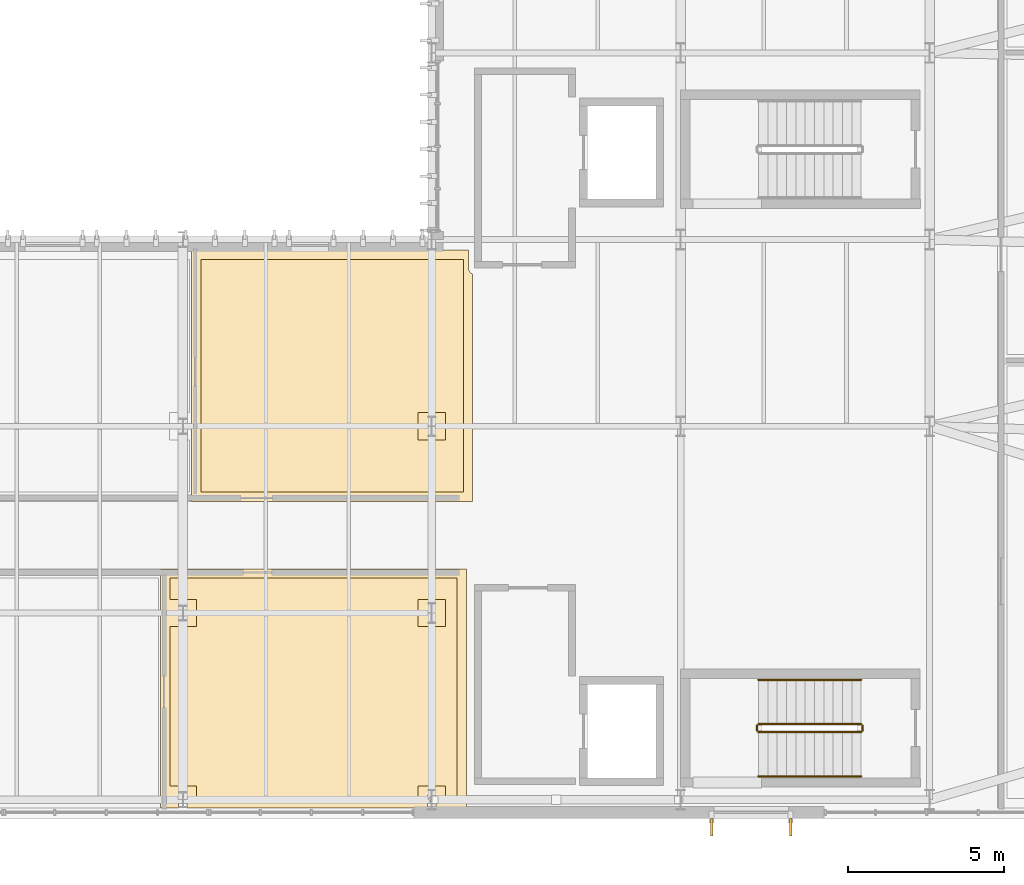
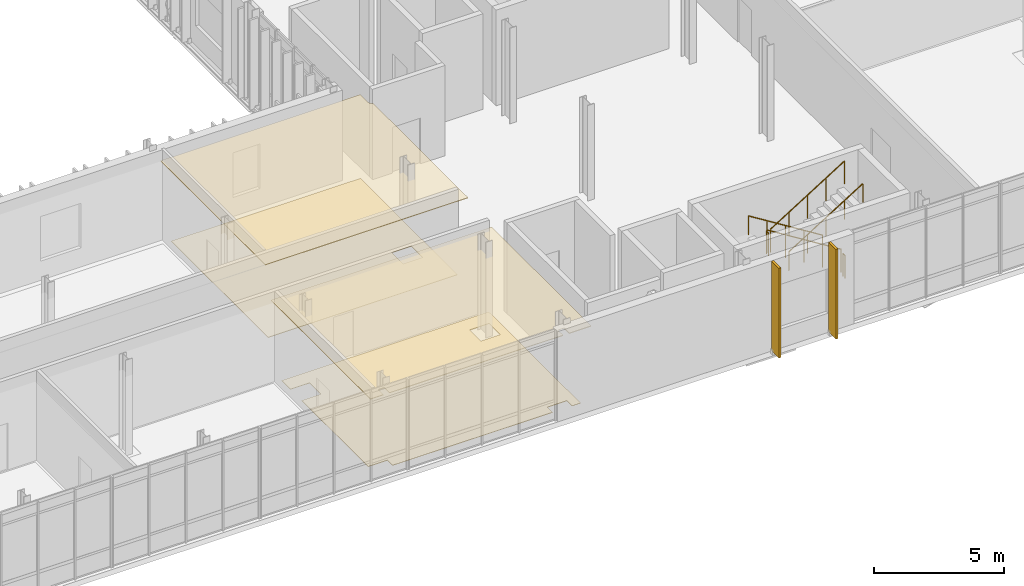
# One storey, part 97 of 100: 6 coverings, 6 railings.
"""IFC4 building model written with IfcOpenShell, lengths in metres."""

import ifcopenshell
import ifcopenshell.guid

model = None  # the IFC model being written
_history = None  # IfcOwnerHistory: only IFC2X3 demands one
_inside = {}  # id of a spatial element -> (the spatial element, [elements in it])
_under = {}  # id of a project, library or spatial element -> (it, [spatial elements below it])
_declared = {}  # id of a project -> (the project, [libraries it declares])
_typed = {}  # id of a type object -> (the type object, [elements of that type])
_made_of = {}  # id of a material, layer set ... -> (it, [elements and type objects made of it])


def new_model(schema):
    """Start an empty IFC model of exactly this schema.

    Asked for "IFC4X3", IfcOpenShell would pick the latest addendum, in which some entities
    have other attributes; the version numbers below select the first issue.
    IFC2X3 requires an IfcOwnerHistory on every rooted entity: one is made here for all.
    """
    global model, _history
    if schema == "IFC4X3":
        model = ifcopenshell.file(schema_version=(4, 3, 0, 0))
    else:
        model = ifcopenshell.file(schema=schema)
    _inside.clear()
    _under.clear()
    _declared.clear()
    _typed.clear()
    _made_of.clear()
    _history = None
    if model.schema == "IFC2X3":
        org = make("IfcOrganization", Name="unknown")
        user = make(
            "IfcPersonAndOrganization",
            ThePerson=make("IfcPerson", FamilyName="unknown"),
            TheOrganization=org,
        )
        app = make(
            "IfcApplication",
            ApplicationDeveloper=org,
            Version="unknown",
            ApplicationFullName="unknown",
            ApplicationIdentifier="unknown",
        )
        _history = make(
            "IfcOwnerHistory",
            OwningUser=user,
            OwningApplication=app,
            ChangeAction="ADDED",
            CreationDate=0,
        )
    return model


def make(cls, **values):
    """One entity of the class cls with the attributes given. An attribute that is None is left unset."""
    return model.create_entity(
        cls, **{name: value for name, value in values.items() if value is not None}
    )


def rooted(cls, **values):
    """An entity with a GlobalId (a new one), such as an element, a storey or a relation."""
    return make(cls, GlobalId=ifcopenshell.guid.new(), OwnerHistory=_history, **values)


def si_unit(unit_type, name, prefix=None):
    """IfcSIUnit, for example si_unit("LENGTHUNIT", "METRE", prefix="MILLI")."""
    return make("IfcSIUnit", UnitType=unit_type, Prefix=prefix, Name=name)


def assignment(units):
    """IfcUnitAssignment: the units of a project."""
    return None if units is None else make("IfcUnitAssignment", Units=units)


def point(xyz):
    """IfcCartesianPoint."""
    return None if xyz is None else make("IfcCartesianPoint", Coordinates=xyz)


def direction(xyz):
    """IfcDirection."""
    return None if xyz is None else make("IfcDirection", DirectionRatios=xyz)


def frame(location, z_axis=None, x_axis=None):
    """IfcAxis2Placement3D, a coordinate frame: its origin and axes. An axis left out is left unset."""
    return make(
        "IfcAxis2Placement3D",
        Location=point(location),
        Axis=direction(z_axis),
        RefDirection=direction(x_axis),
    )


def frame_2d(location, x_axis=None):
    """IfcAxis2Placement2D, a coordinate frame in the plane: its origin and x axis."""
    return make(
        "IfcAxis2Placement2D", Location=point(location), RefDirection=direction(x_axis)
    )


def origin():
    """The frame at (0, 0, 0) with its axes left unset."""
    return frame((0.0, 0.0, 0.0))


def origin_2d():
    """The frame at (0, 0) in the plane with its x axis left unset."""
    return frame_2d((0.0, 0.0))


def place(relative_to, where):
    """IfcLocalPlacement: puts the frame where relative to a parent placement (None: the world)."""
    return make(
        "IfcLocalPlacement", PlacementRelTo=relative_to, RelativePlacement=where
    )


def context(
    kind, dimensions, precision=None, world=None, true_north=None, identifier=None
):
    """IfcGeometricRepresentationContext, for example the 3D "Model" context."""
    return make(
        "IfcGeometricRepresentationContext",
        ContextIdentifier=identifier,
        ContextType=kind,
        CoordinateSpaceDimension=dimensions,
        Precision=precision,
        WorldCoordinateSystem=world,
        TrueNorth=true_north,
    )


def subcontext(parent, identifier, kind, view, scale=None):
    """IfcGeometricRepresentationSubContext, for example "Body" below "Model"."""
    return make(
        "IfcGeometricRepresentationSubContext",
        ContextIdentifier=identifier,
        ContextType=kind,
        ParentContext=parent,
        TargetScale=scale,
        TargetView=view,
    )


def project(units=None, contexts=None):
    """IfcProject with its units and contexts."""
    return rooted(
        "IfcProject",
        Name="project",
        RepresentationContexts=contexts,
        UnitsInContext=assignment(units),
    )


def spatial(cls, under=None, at=None, **own):
    """A site, building, storey or space (cls), placed at a placement, below another one or the project."""
    s = rooted(cls, ObjectPlacement=at, **own)
    if under is not None:
        _under.setdefault(under.id(), (under, []))[1].append(s)
    return s


def polyline(points):
    """IfcPolyline through the points."""
    return make("IfcPolyline", Points=[point(p) for p in points])


def profile(cls, at=None, kind="AREA", **sizes):
    """A parametric profile (cls). Its sizes go by their IFC names, for example OverallWidth=200.0."""
    return make(cls, ProfileType=kind, Position=at, **sizes)


def rectangle(**sizes):
    """IfcRectangleProfileDef."""
    return profile("IfcRectangleProfileDef", **sizes)


def circle(**sizes):
    """IfcCircleProfileDef."""
    return profile("IfcCircleProfileDef", **sizes)


def outline(outer, holes=None, kind="AREA"):
    """IfcArbitraryClosedProfileDef: a profile drawn as a closed curve; with holes, ...WithVoids."""
    if holes is None:
        return make("IfcArbitraryClosedProfileDef", ProfileType=kind, OuterCurve=outer)
    return make(
        "IfcArbitraryProfileDefWithVoids",
        ProfileType=kind,
        OuterCurve=outer,
        InnerCurves=holes,
    )


def extrude(swept, where, along, depth):
    """IfcExtrudedAreaSolid: the profile swept, set in the frame where, extruded along a direction by depth."""
    return make(
        "IfcExtrudedAreaSolid",
        SweptArea=swept,
        Position=where,
        ExtrudedDirection=direction(along),
        Depth=depth,
    )


def shape(context_of_items, identifier, shape_type, items):
    """IfcShapeRepresentation: the items that make up one representation, for example the "Body"."""
    return make(
        "IfcShapeRepresentation",
        ContextOfItems=context_of_items,
        RepresentationIdentifier=identifier,
        RepresentationType=shape_type,
        Items=items,
    )


def material(Name=None, Category=None):
    """IfcMaterial."""
    return make("IfcMaterial", Name=Name, Category=Category)


def layer(
    of_material, thickness, ventilated=None, Name=None, Category=None, Priority=None
):
    """IfcMaterialLayer: one layer of a wall or slab, of a material (None: an air gap)."""
    return make(
        "IfcMaterialLayer",
        Material=of_material,
        LayerThickness=thickness,
        IsVentilated=ventilated,
        Name=Name,
        Category=Category,
        Priority=Priority,
    )


def layer_set(layers, Name=None):
    """IfcMaterialLayerSet."""
    return make("IfcMaterialLayerSet", MaterialLayers=layers, LayerSetName=Name)


def made_of(thing, what):
    """Note that an element or type object is made of a material, layer set ...; save() writes the relation."""
    if what is not None:
        _made_of.setdefault(what.id(), (what, []))[1].append(thing)
    return thing


def type_object(cls, material=None, **own):
    """A type object (cls), such as IfcWallType, which elements share."""
    return made_of(rooted(cls, **own), material)


def element(
    cls,
    number,
    at=None,
    inside=None,
    cuts=None,
    type_object=None,
    material=None,
    context=None,
    identifier="Body",
    shape_type=None,
    held_by="IfcProductDefinitionShape",
    body=None,
    shapes=None,
    **own,
):
    """One element of the class cls, such as IfcWall. Its Tag is "e" and its number.

    at: its placement. inside: the storey or other place that contains it. cuts: it is an
    opening in that element (IfcRelVoidsElement). A single representation is given by context,
    identifier, shape_type and body (its items); several are given by shapes. held_by: the class
    of the entity that holds the representations. save() writes the other relations.
    """
    e = rooted(cls, Tag="e%d" % number, ObjectPlacement=at, **own)
    if body is not None:
        shapes = [shape(context, identifier, shape_type, body)]
    if shapes is not None:
        e.Representation = make(held_by, Representations=shapes)
    if inside is not None:
        _inside.setdefault(inside.id(), (inside, []))[1].append(e)
    if cuts is not None:
        rooted(
            "IfcRelVoidsElement", RelatingBuildingElement=cuts, RelatedOpeningElement=e
        )
    if type_object is not None:
        _typed.setdefault(type_object.id(), (type_object, []))[1].append(e)
    return made_of(e, material)


def aggregate(whole, parts):
    """IfcRelAggregates: a whole, such as a stair, and the parts it consists of."""
    return rooted("IfcRelAggregates", RelatingObject=whole, RelatedObjects=parts)


def save(model, path):
    """Write the relations noted so far, then the file.

    IfcRelAggregates (storeys below a building ...), IfcRelContainedInSpatialStructure (elements
    in a storey), IfcRelDefinesByType, IfcRelAssociatesMaterial and IfcRelDeclares: one each for
    every whole, place, type object, material and project.
    """
    for whole, parts in _under.values():
        aggregate(whole, parts)
    for where, things in _inside.values():
        rooted(
            "IfcRelContainedInSpatialStructure",
            RelatedElements=things,
            RelatingStructure=where,
        )
    for kind, things in _typed.values():
        rooted("IfcRelDefinesByType", RelatedObjects=things, RelatingType=kind)
    for what, things in _made_of.values():
        rooted("IfcRelAssociatesMaterial", RelatedObjects=things, RelatingMaterial=what)
    for by, libraries in _declared.values():
        rooted("IfcRelDeclares", RelatingContext=by, RelatedDefinitions=libraries)
    model.write(path)


model = new_model("IFC4")

# Units and contexts
model_context = context("Model", 3, precision=1e-05, world=origin(), true_north=direction((0.0, 1.0)))
body_context = subcontext(model_context, "Body", "Model", "MODEL_VIEW")
ifc_project = project(units=[si_unit("LENGTHUNIT", "METRE"), si_unit("AREAUNIT", "SQUARE_METRE"), si_unit("VOLUMEUNIT", "CUBIC_METRE"), si_unit("PLANEANGLEUNIT", "RADIAN"), si_unit("MASSUNIT", "GRAM", prefix="KILO")], contexts=[model_context])

# Site, building, storey
site_placement = place(None, origin())
site = spatial("IfcSite", under=ifc_project, at=site_placement, CompositionType="ELEMENT")
building_placement = place(site_placement, origin())
building = spatial("IfcBuilding", under=site, at=building_placement, Name="Cymarion Research Institute", CompositionType="ELEMENT")
storey_placement = place(building_placement, frame((0.0, 0.0, 4.800048828125)))
storey = spatial("IfcBuildingStorey", under=building, at=storey_placement, Name="L01", CompositionType="ELEMENT", Elevation=4.800048828125)

# Coverings
ifc_material_1 = material(Name="Micro-perforated mineral acoustic ceiling tile", Category="gypsum")
ifc_layer_1 = layer(ifc_material_1, 0.030029296875)
ifc_layer_set_1 = layer_set([ifc_layer_1], Name="Micro-perforated mineral acoustic ceiling tile")
covering_type_1 = type_object("IfcCoveringType", Name="ACOUSTIC MICRO-PERFORATED SUSPENDED CEILING CLG-01", PredefinedType="CEILING", material=ifc_layer_set_1)
covering_1_placement = place(storey_placement, frame((0.0, 0.0, 3.699951171875)))
element("IfcCovering", 1, at=covering_1_placement, inside=storey, type_object=covering_type_1, Name="L01 L01 Accessible Staff Restroom and Shower acoustic ceiling", PredefinedType="CEILING", context=body_context, shape_type="SweptSolid", body=[
    extrude(outline(polyline([(139.715087890625, 12.9150390625), (139.715087890625, 5.235107421875), (138.735107421875, 5.235107421875), (138.735107421875, 5.635009765625), (138.465087890625, 5.635009765625), (138.465087890625, 5.235107421875), (130.735107421875, 5.235107421875), (130.735107421875, 5.635009765625), (130.465087890625, 5.635009765625), (130.465087890625, 5.235107421875), (129.885009765625, 5.235107421875), (129.885009765625, 12.9150390625), (139.715087890625, 12.9150390625)])), origin(), (0.0, 0.0, 1.0), 0.030029296875),
])
covering_2_placement = place(storey_placement, frame((0.0, 0.0, 3.699951171875)))
element("IfcCovering", 2, at=covering_2_placement, inside=storey, type_object=covering_type_1, Name="L01 L01 Research Group Seminar & Data Review Room acoustic ceiling", PredefinedType="CEILING", context=body_context, shape_type="SweptSolid", body=[
    extrude(outline(polyline([(139.780029296875, 23.1650390625), (139.780029296875, 22.580078125), (139.781005859375, 22.560302734375), (139.78369140625, 22.541015625), (139.78857421875, 22.52197265625), (139.795166015625, 22.50341796875), (139.8037109375, 22.485595703125), (139.813720703125, 22.468994140625), (139.825439453125, 22.453125), (139.838623046875, 22.438720703125), (139.85302734375, 22.42529296875), (139.868896484375, 22.413818359375), (139.8857421875, 22.403564453125), (139.903564453125, 22.395263671875), (139.9150390625, 22.39111328125), (139.9150390625, 15.0849609375), (130.885009765625, 15.0849609375), (130.885009765625, 23.1650390625), (139.780029296875, 23.1650390625)])), origin(), (0.0, 0.0, 1.0), 0.030029296875),
])
ifc_material_2 = material(Name="Precast concrete C45/55 architectural white", Category="concrete")
ifc_layer_2 = layer(ifc_material_2, 0.090087890625)
ifc_layer_set_2 = layer_set([ifc_layer_2], Name="Precast concrete C45/55 architectural white")
covering_type_2 = type_object("IfcCoveringType", Name="ARCHITECTURAL WHITE PRECAST CONCRETE VERTICAL FIN FIN1 560MM", PredefinedType="CLADDING", material=ifc_layer_set_2)
for number, where, z_axis, x_axis, name in (
    (3, (147.5966796875, 4.617919921875, 0.010009765625), (0.0, 0.0, 1.0), (0.0, -1.0, 0.0), "L01 V1 white precast vertical fin FIN1 #106"),
    (4, (150.13671875, 4.617919921875, 0.010009765625), (0.0, 0.0, 1.0), (0.0, -1.0, 0.0), "L01 V1 white precast vertical fin FIN1 #107"),
):
    element("IfcCovering", number, at=place(storey_placement, frame(where, z_axis=z_axis, x_axis=x_axis)), inside=storey, type_object=covering_type_2, Name=name, PredefinedType="CLADDING", context=body_context, shape_type="SweptSolid", body=[
        extrude(rectangle(XDim=0.56005859375, YDim=0.090087890625, at=origin_2d()), origin(), (0.0, 0.0, 1.0), 4.22998046875),
    ])

# Railings
ifc_material_3 = material(Name="Steel S355", Category="steel")
railing_type_1 = type_object("IfcRailingType", Name="PAINTED STEEL STAIR GUARDRAIL GR1 1100MM", PredefinedType="GUARDRAIL", material=ifc_material_3)
railing_1_placement = place(storey_placement, frame((152.39990234375, 7.929931640625, 0.1875)))
element("IfcRailing", 5, at=railing_1_placement, inside=storey, type_object=railing_type_1, Name="L01 ST1 stair guard 1", PredefinedType="GUARDRAIL", context=body_context, shape_type="SweptSolid", body=[
    extrude(circle(Radius=0.02392578125, at=origin_2d()), frame((0.0, 0.0, 1.076171875), z_axis=(-0.847984204989, 0.0, 0.530021497762), x_axis=(0.0, -1.0, 0.0)), (0.0, 0.0, 1.0), 3.891357421875),
    extrude(circle(Radius=0.02099609375, at=origin_2d()), origin(), (0.0, 0.0, 1.0), 1.052001953125),
    extrude(circle(Radius=0.02099609375, at=origin_2d()), frame((-0.824951171875, 0.0, 0.515625)), (0.0, 0.0, 1.0), 1.052001953125),
    extrude(circle(Radius=0.02099609375, at=origin_2d()), frame((-1.64990234375, 0.0, 1.03125)), (0.0, 0.0, 1.0), 1.052001953125),
    extrude(circle(Radius=0.02099609375, at=origin_2d()), frame((-2.474853515625, 0.0, 1.546875)), (0.0, 0.0, 1.0), 1.052001953125),
    extrude(circle(Radius=0.02099609375, at=origin_2d()), frame((-3.2998046875, 0.0, 2.0625)), (0.0, 0.0, 1.0), 1.052001953125),
])
railing_2_placement = place(storey_placement, frame((149.050048828125, 7.8798828125, 2.25)))
element("IfcRailing", 6, at=railing_2_placement, inside=storey, type_object=railing_type_1, Name="L01 ST1 stair guard 2", PredefinedType="GUARDRAIL", context=body_context, shape_type="SweptSolid", body=[
    extrude(circle(Radius=0.02392578125, at=origin_2d()), frame((0.0, 0.0, 1.076171875), z_axis=(0.0, -1.0, 0.0), x_axis=(1.0, 0.0, 0.0)), (0.0, 0.0, 1.0), 0.159912109375),
    extrude(circle(Radius=0.02099609375, at=origin_2d()), origin(), (0.0, 0.0, 1.0), 1.052001953125),
    extrude(circle(Radius=0.02099609375, at=origin_2d()), frame((0.0, -0.159912109375, 0.0)), (0.0, 0.0, 1.0), 1.052001953125),
])
railing_3_placement = place(storey_placement, frame((149.10009765625, 7.669921875, 2.4375)))
element("IfcRailing", 7, at=railing_3_placement, inside=storey, type_object=railing_type_1, Name="L01 ST1 stair guard 3", PredefinedType="GUARDRAIL", context=body_context, shape_type="SweptSolid", body=[
    extrude(circle(Radius=0.02392578125, at=origin_2d()), frame((0.0, 0.0, 1.076171875), z_axis=(0.847984204989, 0.0, 0.530021497762), x_axis=(0.0, 1.0, 0.0)), (0.0, 0.0, 1.0), 3.891357421875),
    extrude(circle(Radius=0.02099609375, at=origin_2d()), origin(), (0.0, 0.0, 1.0), 1.052001953125),
    extrude(circle(Radius=0.02099609375, at=origin_2d()), frame((0.824951171875, 0.0, 0.515625)), (0.0, 0.0, 1.0), 1.052001953125),
    extrude(circle(Radius=0.02099609375, at=origin_2d()), frame((1.64990234375, 0.0, 1.03125)), (0.0, 0.0, 1.0), 1.052001953125),
    extrude(circle(Radius=0.02099609375, at=origin_2d()), frame((2.474853515625, 0.0, 1.546875)), (0.0, 0.0, 1.0), 1.052001953125),
    extrude(circle(Radius=0.02099609375, at=origin_2d()), frame((3.2998046875, 0.0, 2.0625)), (0.0, 0.0, 1.0), 1.052001953125),
])
railing_4_placement = place(storey_placement, frame((152.449951171875, 7.8798828125, 0.0)))
element("IfcRailing", 8, at=railing_4_placement, inside=storey, type_object=railing_type_1, Name="L01 ST1 stair guard 4", PredefinedType="GUARDRAIL", context=body_context, shape_type="SweptSolid", body=[
    extrude(circle(Radius=0.02392578125, at=origin_2d()), frame((0.0, 0.0, 1.076171875), z_axis=(0.0, -1.0, 0.0), x_axis=(1.0, 0.0, 0.0)), (0.0, 0.0, 1.0), 0.159912109375),
    extrude(circle(Radius=0.02099609375, at=origin_2d()), origin(), (0.0, 0.0, 1.0), 1.052001953125),
    extrude(circle(Radius=0.02099609375, at=origin_2d()), frame((0.0, -0.159912109375, 0.0)), (0.0, 0.0, 1.0), 1.052001953125),
])

# Coverings
ifc_material_4 = material(Name="Seamless dissipative epoxy resin flooring", Category="resin")
ifc_layer_3 = layer(ifc_material_4, 0.02001953125)
ifc_layer_set_3 = layer_set([ifc_layer_3], Name="Seamless dissipative epoxy resin flooring")
covering_type_3 = type_object("IfcCoveringType", Name="SEAMLESS ESD EPOXY LABORATORY FLOORING FLR-01", PredefinedType="FLOORING", material=ifc_layer_set_3)
covering_3_placement = place(storey_placement, origin())
element("IfcCovering", 9, at=covering_3_placement, inside=storey, type_object=covering_type_3, Name="L01 L01 Accessible Staff Restroom and Shower ESD epoxy flooring", PredefinedType="FLOORING", context=body_context, shape_type="SweptSolid", body=[
    extrude(outline(polyline([(130.18505859375, 5.93505859375), (130.18505859375, 11.06494140625), (131.034912109375, 11.06494140625), (131.034912109375, 11.93505859375), (130.18505859375, 11.93505859375), (130.18505859375, 12.614990234375), (139.4150390625, 12.614990234375), (139.4150390625, 5.534912109375), (139.034912109375, 5.534912109375), (139.034912109375, 5.93505859375), (138.1650390625, 5.93505859375), (138.1650390625, 5.534912109375), (131.034912109375, 5.534912109375), (131.034912109375, 5.93505859375), (130.18505859375, 5.93505859375)]), holes=[polyline([(139.034912109375, 11.93505859375), (138.1650390625, 11.93505859375), (138.1650390625, 11.06494140625), (139.034912109375, 11.06494140625), (139.034912109375, 11.93505859375)])]), origin(), (0.0, 0.0, 1.0), 0.02001953125),
])
covering_4_placement = place(storey_placement, origin())
element("IfcCovering", 10, at=covering_4_placement, inside=storey, type_object=covering_type_3, Name="L01 L01 Research Group Seminar & Data Review Room ESD epoxy flooring", PredefinedType="FLOORING", context=body_context, shape_type="SweptSolid", body=[
    extrude(outline(polyline([(131.18505859375, 22.864990234375), (139.614990234375, 22.864990234375), (139.614990234375, 15.385009765625), (131.18505859375, 15.385009765625), (131.18505859375, 22.864990234375)]), holes=[polyline([(139.034912109375, 17.93505859375), (138.1650390625, 17.93505859375), (138.1650390625, 17.06494140625), (139.034912109375, 17.06494140625), (139.034912109375, 17.93505859375)])]), origin(), (0.0, 0.0, 1.0), 0.02001953125),
])

# Railings
railing_type_2 = type_object("IfcRailingType", Name="STAINLESS STEEL STAIR HANDRAIL HR1 900MM", PredefinedType="HANDRAIL", material=ifc_material_3)
railing_5_placement = place(storey_placement, frame((152.39990234375, 9.35009765625, 0.1875)))
element("IfcRailing", 11, at=railing_5_placement, inside=storey, type_object=railing_type_2, Name="L01 ST1 stair handrail 1", PredefinedType="HANDRAIL", context=body_context, shape_type="SweptSolid", body=[
    extrude(circle(Radius=0.02392578125, at=origin_2d()), frame((0.0, 0.0, 0.8759765625), z_axis=(-0.847984204989, 0.0, 0.530021497762), x_axis=(0.0, -1.0, 0.0)), (0.0, 0.0, 1.0), 3.891357421875),
    extrude(circle(Radius=0.02099609375, at=origin_2d()), origin(), (0.0, 0.0, 1.0), 0.851806640625),
    extrude(circle(Radius=0.02099609375, at=origin_2d()), frame((-0.824951171875, 0.0, 0.515625)), (0.0, 0.0, 1.0), 0.851806640625),
    extrude(circle(Radius=0.02099609375, at=origin_2d()), frame((-1.64990234375, 0.0, 1.03125)), (0.0, 0.0, 1.0), 0.851806640625),
    extrude(circle(Radius=0.02099609375, at=origin_2d()), frame((-2.474853515625, 0.0, 1.546875)), (0.0, 0.0, 1.0), 0.851806640625),
    extrude(circle(Radius=0.02099609375, at=origin_2d()), frame((-3.2998046875, 0.0, 2.0625)), (0.0, 0.0, 1.0), 0.851806640625),
])
railing_6_placement = place(storey_placement, frame((149.10009765625, 6.25, 2.4375)))
element("IfcRailing", 12, at=railing_6_placement, inside=storey, type_object=railing_type_2, Name="L01 ST1 stair handrail 2", PredefinedType="HANDRAIL", context=body_context, shape_type="SweptSolid", body=[
    extrude(circle(Radius=0.02392578125, at=origin_2d()), frame((0.0, 0.0, 0.8759765625), z_axis=(0.847984204989, 0.0, 0.530021497762), x_axis=(0.0, 1.0, 0.0)), (0.0, 0.0, 1.0), 3.891357421875),
    extrude(circle(Radius=0.02099609375, at=origin_2d()), origin(), (0.0, 0.0, 1.0), 0.851806640625),
    extrude(circle(Radius=0.02099609375, at=origin_2d()), frame((0.824951171875, 0.0, 0.515625)), (0.0, 0.0, 1.0), 0.851806640625),
    extrude(circle(Radius=0.02099609375, at=origin_2d()), frame((1.64990234375, 0.0, 1.03125)), (0.0, 0.0, 1.0), 0.851806640625),
    extrude(circle(Radius=0.02099609375, at=origin_2d()), frame((2.474853515625, 0.0, 1.546875)), (0.0, 0.0, 1.0), 0.851806640625),
    extrude(circle(Radius=0.02099609375, at=origin_2d()), frame((3.2998046875, 0.0, 2.0625)), (0.0, 0.0, 1.0), 0.851806640625),
])

save(model, "model.ifc")
